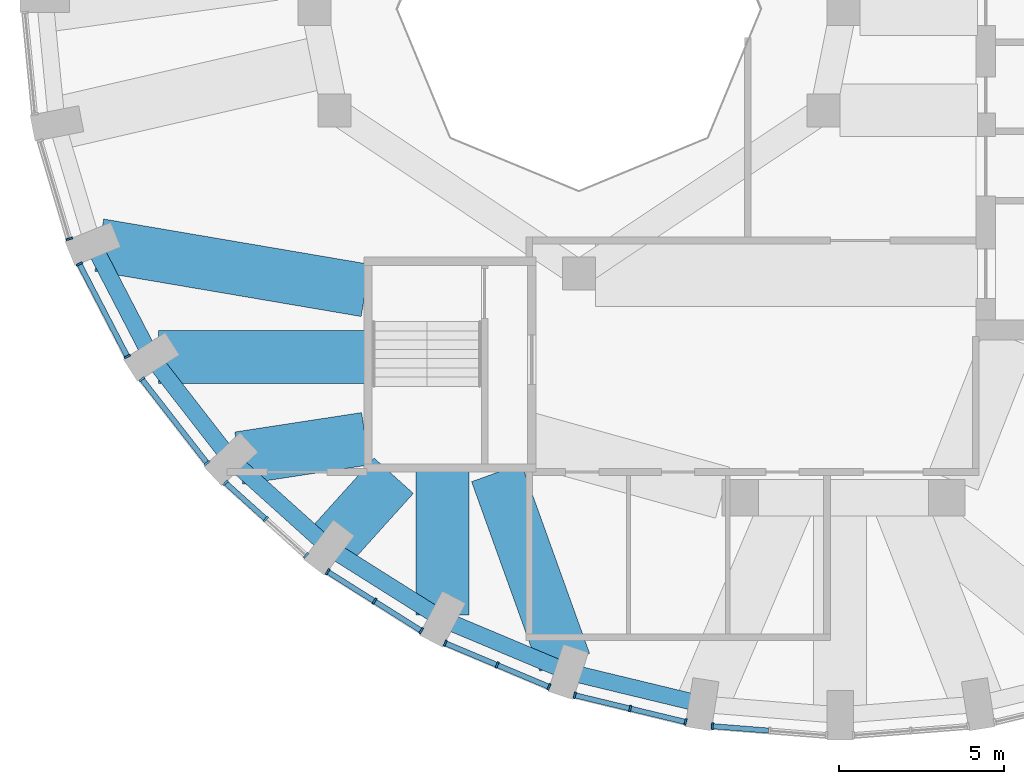
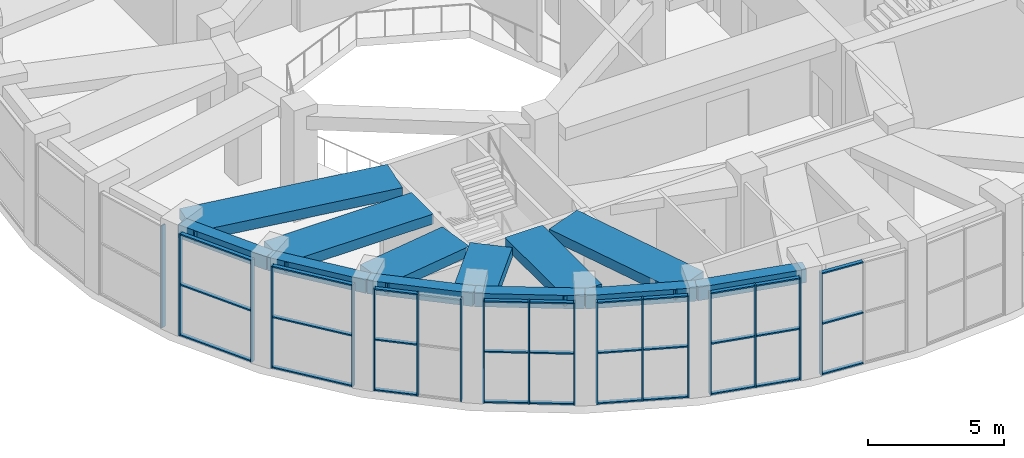
# One storey, part 2 of 16: 48 members, 12 beams, 8 elements without a shape of their own.
"""IFC4 building model written with IfcOpenShell, lengths in metres."""

from ifc_helpers import new_model, si_unit, direction, frame, origin, origin_2d, place, context, subcontext, project, spatial, rectangle, extrude, material, material_profile, profile_set, type_object, element, aggregate, save


model = new_model("IFC4")

# Units and contexts
model_context = context("Model", 3, precision=1e-05, world=origin(), true_north=direction((0.0, 1.0)))
body_context = subcontext(model_context, "Body", "Model", "MODEL_VIEW")
ifc_project = project(units=[si_unit("LENGTHUNIT", "METRE"), si_unit("AREAUNIT", "SQUARE_METRE"), si_unit("VOLUMEUNIT", "CUBIC_METRE"), si_unit("PLANEANGLEUNIT", "RADIAN"), si_unit("MASSUNIT", "GRAM", prefix="KILO")], contexts=[model_context])

# Site, building, storey
site_placement = place(None, origin())
site = spatial("IfcSite", under=ifc_project, at=site_placement, CompositionType="ELEMENT")
building_placement = place(site_placement, origin())
building = spatial("IfcBuilding", under=site, at=building_placement, Name="Taillehof Tower", CompositionType="ELEMENT")
storey_placement = place(building_placement, frame((0.0, 0.0, 264.199951171875)))
storey = spatial("IfcBuildingStorey", under=building, at=storey_placement, Name="L75", CompositionType="ELEMENT", Elevation=264.199951171875)

# Beams
ifc_material_1 = material(Name="Concrete C50/60", Category="concrete")
ifc_material_profile_1 = material_profile(ifc_material_1, rectangle(XDim=1.60009765625, YDim=0.449951171875, at=origin_2d()), Name="RC 1600x450")
ifc_profile_set_1 = profile_set([ifc_material_profile_1], Name="Concrete C50/60")
beam_type_1 = type_object("IfcBeamType", Name="Radial band beam C50/60 1600x450", PredefinedType="BEAM", material=ifc_profile_set_1)
beam_1_placement = place(storey_placement, frame((-22.502685546875, -7.13818359375, 4.364990234375), z_axis=(0.985830005482, -0.167747430059, 0.0), x_axis=(0.167747430059, 0.985830005482, 0.0)))
element("IfcBeam", 1, at=beam_1_placement, inside=storey, type_object=beam_type_1, Name="Radial band beam RB21", PredefinedType="BEAM", context=body_context, shape_type="SweptSolid", body=[
    extrude(rectangle(XDim=1.60009765625, YDim=0.449951171875, at=origin_2d()), origin(), (0.0, 0.0, 1.0), 8.167724609375),
])
beam_2_placement = place(storey_placement, frame((-20.7119140625, -10.52490234375, 4.364990234375), z_axis=(1.0, 0.0, 0.0), x_axis=(0.0, 1.0, 0.0)))
element("IfcBeam", 2, at=beam_2_placement, inside=storey, type_object=beam_type_1, Name="Radial band beam RB22", PredefinedType="BEAM", context=body_context, shape_type="SweptSolid", body=[
    extrude(rectangle(XDim=1.60009765625, YDim=0.449951171875, at=origin_2d()), origin(), (0.0, 0.0, 1.0), 6.261962890625),
])
beam_3_placement = place(storey_placement, frame((-18.283447265625, -13.57958984375, 4.364990234375), z_axis=(0.988468308682, 0.151427879634, 0.0), x_axis=(-0.151427879634, 0.988468308682, 0.0)))
element("IfcBeam", 3, at=beam_3_placement, inside=storey, type_object=beam_type_1, Name="Radial band beam RB23", PredefinedType="BEAM", context=body_context, shape_type="SweptSolid", body=[
    extrude(rectangle(XDim=1.60009765625, YDim=0.449951171875, at=origin_2d()), origin(), (0.0, 0.0, 1.0), 3.87744140625),
])
beam_4_placement = place(storey_placement, frame((-15.55908203125, -16.284912109375, 4.364990234375), z_axis=(0.669439419649, 0.742866652516, 0.0), x_axis=(-0.742866652516, 0.669439419649, 0.0)))
element("IfcBeam", 4, at=beam_4_placement, inside=storey, type_object=beam_type_1, Name="Radial band beam RB24", PredefinedType="BEAM", context=body_context, shape_type="SweptSolid", body=[
    extrude(rectangle(XDim=1.60009765625, YDim=0.449951171875, at=origin_2d()), origin(), (0.0, 0.0, 1.0), 2.926025390625),
])
beam_5_placement = place(storey_placement, frame((-12.125, -18.3154296875, 4.364990234375), z_axis=(0.0, 1.0, 0.0), x_axis=(-1.0, 0.0, 0.0)))
element("IfcBeam", 5, at=beam_5_placement, inside=storey, type_object=beam_type_1, Name="Radial band beam RB25", PredefinedType="BEAM", context=body_context, shape_type="SweptSolid", body=[
    extrude(rectangle(XDim=1.60009765625, YDim=0.449951171875, at=origin_2d()), origin(), (0.0, 0.0, 1.0), 4.365478515625),
])
beam_6_placement = place(storey_placement, frame((-8.42919921875, -19.755859375, 4.364990234375), z_axis=(-0.338515207556, 0.940960920683, 0.0), x_axis=(-0.940960920683, -0.338515207556, 0.0)))
element("IfcBeam", 6, at=beam_6_placement, inside=storey, type_object=beam_type_1, Name="Radial band beam RB26", PredefinedType="BEAM", context=body_context, shape_type="SweptSolid", body=[
    extrude(rectangle(XDim=1.60009765625, YDim=0.449951171875, at=origin_2d()), origin(), (0.0, 0.0, 1.0), 6.094970703125),
])

# Curtain wall, member
ifc_material_2 = material(Name="Aluminium curtain wall with Clear laminated safety glass", Category="aluminium")
curtain_wall_type = type_object("IfcCurtainWallType", Name="Sky restaurant curtain wall", PredefinedType="USERDEFINED", material=ifc_material_2)
curtain_wall_1_placement = place(storey_placement, origin())
curtain_wall_1 = element("IfcCurtainWall", 7, at=curtain_wall_1_placement, inside=storey, type_object=curtain_wall_type, Name="Sky restaurant L75 bay 20", ObjectType="WINDOW WALL", PredefinedType="USERDEFINED")
ifc_material_3 = material(Name="Aluminium mullion", Category="aluminium")
ifc_material_profile_2 = material_profile(ifc_material_3, rectangle(XDim=0.199951171875, YDim=0.06005859375, at=origin_2d()), Name="AL 60x200")
ifc_profile_set_2 = profile_set([ifc_material_profile_2], Name="Aluminium mullion")
member_type_1 = type_object("IfcMemberType", Name="Sky restaurant mullion 60x200", PredefinedType="MULLION", material=ifc_profile_set_2)
member_1_placement = place(storey_placement, frame((-23.41015625, -6.94921875, 0.0), z_axis=(0.0, 0.0, 1.0), x_axis=(0.958457446134, 0.285235558707, 0.0)))
member_1 = element("IfcMember", 8, at=member_1_placement, type_object=member_type_1, Name="CT5E20 mullion 2", PredefinedType="MULLION", context=body_context, shape_type="SweptSolid", body=[
    extrude(rectangle(XDim=0.199951171875, YDim=0.06005859375, at=origin_2d()), origin(), (0.0, 0.0, 1.0), 4.590087890625),
])
aggregate(curtain_wall_1, [member_1])

# Curtain wall, members
curtain_wall_2_placement = place(storey_placement, origin())
curtain_wall_2 = element("IfcCurtainWall", 9, at=curtain_wall_2_placement, inside=storey, type_object=curtain_wall_type, Name="Sky restaurant L75 bay 21", ObjectType="WINDOW WALL", PredefinedType="USERDEFINED")
member_2_placement = place(storey_placement, frame((-23.103271484375, -7.70947265625, 0.0), z_axis=(0.0, 0.0, 1.0), x_axis=(0.887975262702, 0.459891218474, 0.0)))
member_2 = element("IfcMember", 10, at=member_2_placement, type_object=member_type_1, Name="CT5E21 mullion 1", PredefinedType="MULLION", context=body_context, shape_type="SweptSolid", body=[
    extrude(rectangle(XDim=0.199951171875, YDim=0.06005859375, at=origin_2d()), origin(), (0.0, 0.0, 1.0), 4.590087890625),
])
member_3_placement = place(storey_placement, frame((-21.656005859375, -10.50390625, 0.0), z_axis=(0.0, 0.0, 1.0), x_axis=(0.887975262702, 0.459891218474, 0.0)))
member_3 = element("IfcMember", 11, at=member_3_placement, type_object=member_type_1, Name="CT5E21 mullion 2", PredefinedType="MULLION", context=body_context, shape_type="SweptSolid", body=[
    extrude(rectangle(XDim=0.199951171875, YDim=0.06005859375, at=origin_2d()), origin(), (0.0, 0.0, 1.0), 4.590087890625),
])

curtain_wall_3_placement = place(storey_placement, origin())
curtain_wall_3 = element("IfcCurtainWall", 12, at=curtain_wall_3_placement, inside=storey, type_object=curtain_wall_type, Name="Sky restaurant L75 bay 22", ObjectType="WINDOW WALL", PredefinedType="USERDEFINED")
member_4_placement = place(storey_placement, frame((-21.214111328125, -11.1943359375, 0.0), z_axis=(0.0, 0.0, 1.0), x_axis=(0.789381612432, 0.613902818005, 0.0)))
member_4 = element("IfcMember", 13, at=member_4_placement, type_object=member_type_1, Name="CT5E22 mullion 1", PredefinedType="MULLION", context=body_context, shape_type="SweptSolid", body=[
    extrude(rectangle(XDim=0.199951171875, YDim=0.06005859375, at=origin_2d()), origin(), (0.0, 0.0, 1.0), 4.590087890625),
])
member_5_placement = place(storey_placement, frame((-19.24462890625, -13.726806640625, 0.0), z_axis=(0.0, 0.0, 1.0), x_axis=(0.789381612432, 0.613902818005, 0.0)))
member_5 = element("IfcMember", 14, at=member_5_placement, type_object=member_type_1, Name="CT5E22 mullion 2", PredefinedType="MULLION", context=body_context, shape_type="SweptSolid", body=[
    extrude(rectangle(XDim=0.199951171875, YDim=0.06005859375, at=origin_2d()), origin(), (0.0, 0.0, 1.0), 4.590087890625),
])

curtain_wall_4_placement = place(storey_placement, origin())
curtain_wall_4 = element("IfcCurtainWall", 15, at=curtain_wall_4_placement, inside=storey, type_object=curtain_wall_type, Name="Sky restaurant L75 bay 23", ObjectType="WINDOW WALL", PredefinedType="USERDEFINED")
member_6_placement = place(storey_placement, frame((-18.68603515625, -14.3271484375, 0.0), z_axis=(0.0, 0.0, 1.0), x_axis=(0.669107157872, 0.74316593792, 0.0)))
member_6 = element("IfcMember", 16, at=member_6_placement, type_object=member_type_1, Name="CT5E23 mullion 1", PredefinedType="MULLION", context=body_context, shape_type="SweptSolid", body=[
    extrude(rectangle(XDim=0.199951171875, YDim=0.06005859375, at=origin_2d()), origin(), (0.0, 0.0, 1.0), 4.590087890625),
])
member_7_placement = place(storey_placement, frame((-17.468505859375, -15.423095703125, 0.0), z_axis=(0.0, 0.0, 1.0), x_axis=(0.669107157872, 0.74316593792, 0.0)))
member_7 = element("IfcMember", 17, at=member_7_placement, type_object=member_type_1, Name="CT5E23 mullion 2", PredefinedType="MULLION", context=body_context, shape_type="SweptSolid", body=[
    extrude(rectangle(XDim=0.199951171875, YDim=0.06005859375, at=origin_2d()), origin(), (0.0, 0.0, 1.0), 4.590087890625),
])
member_8_placement = place(storey_placement, frame((-16.251220703125, -16.519287109375, 0.0), z_axis=(0.0, 0.0, 1.0), x_axis=(0.669107157872, 0.74316593792, 0.0)))
member_8 = element("IfcMember", 18, at=member_8_placement, type_object=member_type_1, Name="CT5E23 mullion 3", PredefinedType="MULLION", context=body_context, shape_type="SweptSolid", body=[
    extrude(rectangle(XDim=0.199951171875, YDim=0.06005859375, at=origin_2d()), origin(), (0.0, 0.0, 1.0), 4.590087890625),
])

curtain_wall_5_placement = place(storey_placement, origin())
curtain_wall_5 = element("IfcCurtainWall", 19, at=curtain_wall_5_placement, inside=storey, type_object=curtain_wall_type, Name="Sky restaurant L75 bay 24", ObjectType="WINDOW WALL", PredefinedType="USERDEFINED")
member_9_placement = place(storey_placement, frame((-15.59716796875, -17.01416015625, 0.0), z_axis=(0.0, 0.0, 1.0), x_axis=(0.533294430468, 0.845929695916, 0.0)))
member_9 = element("IfcMember", 20, at=member_9_placement, type_object=member_type_1, Name="CT5E24 mullion 1", PredefinedType="MULLION", context=body_context, shape_type="SweptSolid", body=[
    extrude(rectangle(XDim=0.199951171875, YDim=0.06005859375, at=origin_2d()), origin(), (0.0, 0.0, 1.0), 4.590087890625),
])
member_10_placement = place(storey_placement, frame((-14.18310546875, -17.905517578125, 0.0), z_axis=(0.0, 0.0, 1.0), x_axis=(0.533294430468, 0.845929695916, 0.0)))
member_10 = element("IfcMember", 21, at=member_10_placement, type_object=member_type_1, Name="CT5E24 mullion 2", PredefinedType="MULLION", context=body_context, shape_type="SweptSolid", body=[
    extrude(rectangle(XDim=0.199951171875, YDim=0.06005859375, at=origin_2d()), origin(), (0.0, 0.0, 1.0), 4.590087890625),
])
member_11_placement = place(storey_placement, frame((-12.768798828125, -18.797119140625, 0.0), z_axis=(0.0, 0.0, 1.0), x_axis=(0.533294430468, 0.845929695916, 0.0)))
member_11 = element("IfcMember", 22, at=member_11_placement, type_object=member_type_1, Name="CT5E24 mullion 3", PredefinedType="MULLION", context=body_context, shape_type="SweptSolid", body=[
    extrude(rectangle(XDim=0.199951171875, YDim=0.06005859375, at=origin_2d()), origin(), (0.0, 0.0, 1.0), 4.590087890625),
])

curtain_wall_6_placement = place(storey_placement, origin())
curtain_wall_6 = element("IfcCurtainWall", 23, at=curtain_wall_6_placement, inside=storey, type_object=curtain_wall_type, Name="Sky restaurant L75 bay 25", ObjectType="WINDOW WALL", PredefinedType="USERDEFINED")
member_12_placement = place(storey_placement, frame((-12.04150390625, -19.17578125, 0.0), z_axis=(0.0, 0.0, 1.0), x_axis=(0.387100713636, 0.922037438233, 0.0)))
member_12 = element("IfcMember", 24, at=member_12_placement, type_object=member_type_1, Name="CT5E25 mullion 1", PredefinedType="MULLION", context=body_context, shape_type="SweptSolid", body=[
    extrude(rectangle(XDim=0.199951171875, YDim=0.06005859375, at=origin_2d()), origin(), (0.0, 0.0, 1.0), 4.590087890625),
])
member_13_placement = place(storey_placement, frame((-10.472900390625, -19.834228515625, 0.0), z_axis=(0.0, 0.0, 1.0), x_axis=(0.387100713636, 0.922037438233, 0.0)))
member_13 = element("IfcMember", 25, at=member_13_placement, type_object=member_type_1, Name="CT5E25 mullion 2", PredefinedType="MULLION", context=body_context, shape_type="SweptSolid", body=[
    extrude(rectangle(XDim=0.199951171875, YDim=0.06005859375, at=origin_2d()), origin(), (0.0, 0.0, 1.0), 4.590087890625),
])
member_14_placement = place(storey_placement, frame((-8.904541015625, -20.49267578125, 0.0), z_axis=(0.0, 0.0, 1.0), x_axis=(0.387100713636, 0.922037438233, 0.0)))
member_14 = element("IfcMember", 26, at=member_14_placement, type_object=member_type_1, Name="CT5E25 mullion 3", PredefinedType="MULLION", context=body_context, shape_type="SweptSolid", body=[
    extrude(rectangle(XDim=0.199951171875, YDim=0.06005859375, at=origin_2d()), origin(), (0.0, 0.0, 1.0), 4.590087890625),
])

curtain_wall_7_placement = place(storey_placement, origin())
curtain_wall_7 = element("IfcCurtainWall", 27, at=curtain_wall_7_placement, inside=storey, type_object=curtain_wall_type, Name="Sky restaurant L75 bay 26", ObjectType="WINDOW WALL", PredefinedType="USERDEFINED")
member_15_placement = place(storey_placement, frame((-8.12548828125, -20.74853515625, 0.0), z_axis=(0.0, 0.0, 1.0), x_axis=(0.234514520129, 0.972112616855, 0.0)))
member_15 = element("IfcMember", 28, at=member_15_placement, type_object=member_type_1, Name="CT5E26 mullion 1", PredefinedType="MULLION", context=body_context, shape_type="SweptSolid", body=[
    extrude(rectangle(XDim=0.199951171875, YDim=0.06005859375, at=origin_2d()), origin(), (0.0, 0.0, 1.0), 4.590087890625),
])
member_16_placement = place(storey_placement, frame((-6.451171875, -21.15234375, 0.0), z_axis=(0.0, 0.0, 1.0), x_axis=(0.234514520129, 0.972112616855, 0.0)))
member_16 = element("IfcMember", 29, at=member_16_placement, type_object=member_type_1, Name="CT5E26 mullion 2", PredefinedType="MULLION", context=body_context, shape_type="SweptSolid", body=[
    extrude(rectangle(XDim=0.199951171875, YDim=0.06005859375, at=origin_2d()), origin(), (0.0, 0.0, 1.0), 4.590087890625),
])
member_17_placement = place(storey_placement, frame((-4.776611328125, -21.556396484375, 0.0), z_axis=(0.0, 0.0, 1.0), x_axis=(0.234514520129, 0.972112616855, 0.0)))
member_17 = element("IfcMember", 30, at=member_17_placement, type_object=member_type_1, Name="CT5E26 mullion 3", PredefinedType="MULLION", context=body_context, shape_type="SweptSolid", body=[
    extrude(rectangle(XDim=0.199951171875, YDim=0.06005859375, at=origin_2d()), origin(), (0.0, 0.0, 1.0), 4.590087890625),
])

# Curtain wall, member
curtain_wall_8_placement = place(storey_placement, origin())
curtain_wall_8 = element("IfcCurtainWall", 31, at=curtain_wall_8_placement, inside=storey, type_object=curtain_wall_type, Name="Sky restaurant L75 bay 27", ObjectType="WINDOW WALL", PredefinedType="USERDEFINED")
member_18_placement = place(storey_placement, frame((-3.966796875, -21.68505859375, 0.0), z_axis=(0.0, 0.0, 1.0), x_axis=(0.078525059075, 0.996912140109, 0.0)))
member_18 = element("IfcMember", 32, at=member_18_placement, type_object=member_type_1, Name="CT5E27 mullion 1", PredefinedType="MULLION", context=body_context, shape_type="SweptSolid", body=[
    extrude(rectangle(XDim=0.199951171875, YDim=0.06005859375, at=origin_2d()), origin(), (0.0, 0.0, 1.0), 4.590087890625),
])

# Member
ifc_material_4 = material(Name="Aluminium transom", Category="aluminium")
ifc_material_profile_3 = material_profile(ifc_material_4, rectangle(XDim=0.159912109375, YDim=0.06005859375, at=origin_2d()), Name="AL 160x60")
ifc_profile_set_3 = profile_set([ifc_material_profile_3], Name="Aluminium transom")
member_type_2 = type_object("IfcMemberType", Name="Sky restaurant transom 160x60", PredefinedType="USERDEFINED", material=ifc_profile_set_3)
member_19_placement = place(storey_placement, frame((-23.089599609375, -7.736083984375, 0.030029296875), z_axis=(0.459885428404, -0.887978261413, 0.0), x_axis=(0.887978261413, 0.459885428404, 0.0)))
member_19 = element("IfcMember", 33, at=member_19_placement, type_object=member_type_2, Name="CT5E21 transom 1.1", ObjectType="TRANSOM", PredefinedType="USERDEFINED", context=body_context, shape_type="SweptSolid", body=[
    extrude(rectangle(XDim=0.159912109375, YDim=0.06005859375, at=origin_2d()), origin(), (0.0, 0.0, 1.0), 3.0869140625),
])

member_20_placement = place(storey_placement, frame((-23.089599609375, -7.736083984375, 2.295166015625), z_axis=(0.459885428404, -0.887978261413, 0.0), x_axis=(0.887978261413, 0.459885428404, 0.0)))
member_20 = element("IfcMember", 34, at=member_20_placement, type_object=member_type_2, Name="CT5E21 transom 1.2", ObjectType="TRANSOM", PredefinedType="USERDEFINED", context=body_context, shape_type="SweptSolid", body=[
    extrude(rectangle(XDim=0.159912109375, YDim=0.06005859375, at=origin_2d()), origin(), (0.0, 0.0, 1.0), 3.0869140625),
])

member_21_placement = place(storey_placement, frame((-23.089599609375, -7.736083984375, 4.56005859375), z_axis=(0.459885428404, -0.887978261413, 0.0), x_axis=(0.887978261413, 0.459885428404, 0.0)))
member_21 = element("IfcMember", 35, at=member_21_placement, type_object=member_type_2, Name="CT5E21 transom 1.3", ObjectType="TRANSOM", PredefinedType="USERDEFINED", context=body_context, shape_type="SweptSolid", body=[
    extrude(rectangle(XDim=0.159912109375, YDim=0.06005859375, at=origin_2d()), origin(), (0.0, 0.0, 1.0), 3.0869140625),
])

aggregate(curtain_wall_2, [member_2, member_3, member_19, member_20, member_21])

member_22_placement = place(storey_placement, frame((-21.195556640625, -11.218017578125, 0.030029296875), z_axis=(0.613892292238, -0.789389798218, 0.0), x_axis=(0.789389798218, 0.613892292238, 0.0)))
member_22 = element("IfcMember", 36, at=member_22_placement, type_object=member_type_2, Name="CT5E22 transom 1.1", ObjectType="TRANSOM", PredefinedType="USERDEFINED", context=body_context, shape_type="SweptSolid", body=[
    extrude(rectangle(XDim=0.159912109375, YDim=0.06005859375, at=origin_2d()), origin(), (0.0, 0.0, 1.0), 3.148193359375),
])

member_23_placement = place(storey_placement, frame((-21.195556640625, -11.218017578125, 2.295166015625), z_axis=(0.613892292238, -0.789389798218, 0.0), x_axis=(0.789389798218, 0.613892292238, 0.0)))
member_23 = element("IfcMember", 37, at=member_23_placement, type_object=member_type_2, Name="CT5E22 transom 1.2", ObjectType="TRANSOM", PredefinedType="USERDEFINED", context=body_context, shape_type="SweptSolid", body=[
    extrude(rectangle(XDim=0.159912109375, YDim=0.06005859375, at=origin_2d()), origin(), (0.0, 0.0, 1.0), 3.148193359375),
])

member_24_placement = place(storey_placement, frame((-21.195556640625, -11.218017578125, 4.56005859375), z_axis=(0.613892292238, -0.789389798218, 0.0), x_axis=(0.789389798218, 0.613892292238, 0.0)))
member_24 = element("IfcMember", 38, at=member_24_placement, type_object=member_type_2, Name="CT5E22 transom 1.3", ObjectType="TRANSOM", PredefinedType="USERDEFINED", context=body_context, shape_type="SweptSolid", body=[
    extrude(rectangle(XDim=0.159912109375, YDim=0.06005859375, at=origin_2d()), origin(), (0.0, 0.0, 1.0), 3.148193359375),
])

aggregate(curtain_wall_3, [member_4, member_5, member_22, member_23, member_24])

member_25_placement = place(storey_placement, frame((-18.663818359375, -14.34716796875, 0.030029296875), z_axis=(0.743186443795, -0.669084381643, 0.0), x_axis=(0.669084381643, 0.743186443795, 0.0)))
member_25 = element("IfcMember", 39, at=member_25_placement, type_object=member_type_2, Name="CT5E23 transom 1.1", ObjectType="TRANSOM", PredefinedType="USERDEFINED", context=body_context, shape_type="SweptSolid", body=[
    extrude(rectangle(XDim=0.159912109375, YDim=0.06005859375, at=origin_2d()), origin(), (0.0, 0.0, 1.0), 1.578125),
])

member_26_placement = place(storey_placement, frame((-18.663818359375, -14.34716796875, 2.295166015625), z_axis=(0.743186443795, -0.669084381643, 0.0), x_axis=(0.669084381643, 0.743186443795, 0.0)))
member_26 = element("IfcMember", 40, at=member_26_placement, type_object=member_type_2, Name="CT5E23 transom 1.2", ObjectType="TRANSOM", PredefinedType="USERDEFINED", context=body_context, shape_type="SweptSolid", body=[
    extrude(rectangle(XDim=0.159912109375, YDim=0.06005859375, at=origin_2d()), origin(), (0.0, 0.0, 1.0), 1.578125),
])

member_27_placement = place(storey_placement, frame((-18.663818359375, -14.34716796875, 4.56005859375), z_axis=(0.743186443795, -0.669084381643, 0.0), x_axis=(0.669084381643, 0.743186443795, 0.0)))
member_27 = element("IfcMember", 41, at=member_27_placement, type_object=member_type_2, Name="CT5E23 transom 1.3", ObjectType="TRANSOM", PredefinedType="USERDEFINED", context=body_context, shape_type="SweptSolid", body=[
    extrude(rectangle(XDim=0.159912109375, YDim=0.06005859375, at=origin_2d()), origin(), (0.0, 0.0, 1.0), 1.578125),
])

aggregate(curtain_wall_4, [member_6, member_7, member_8, member_25, member_26, member_27])

member_28_placement = place(storey_placement, frame((-15.572021484375, -17.030029296875, 0.030029296875), z_axis=(0.845924117153, -0.533303279587, 0.0), x_axis=(0.533303279587, 0.845924117153, 0.0)))
member_28 = element("IfcMember", 42, at=member_28_placement, type_object=member_type_2, Name="CT5E24 transom 1.1", ObjectType="TRANSOM", PredefinedType="USERDEFINED", context=body_context, shape_type="SweptSolid", body=[
    extrude(rectangle(XDim=0.159912109375, YDim=0.06005859375, at=origin_2d()), origin(), (0.0, 0.0, 1.0), 1.61181640625),
])

member_29_placement = place(storey_placement, frame((-15.572021484375, -17.030029296875, 2.295166015625), z_axis=(0.845924117153, -0.533303279587, 0.0), x_axis=(0.533303279587, 0.845924117153, 0.0)))
member_29 = element("IfcMember", 43, at=member_29_placement, type_object=member_type_2, Name="CT5E24 transom 1.2", ObjectType="TRANSOM", PredefinedType="USERDEFINED", context=body_context, shape_type="SweptSolid", body=[
    extrude(rectangle(XDim=0.159912109375, YDim=0.06005859375, at=origin_2d()), origin(), (0.0, 0.0, 1.0), 1.61181640625),
])

member_30_placement = place(storey_placement, frame((-15.572021484375, -17.030029296875, 4.56005859375), z_axis=(0.845924117153, -0.533303279587, 0.0), x_axis=(0.533303279587, 0.845924117153, 0.0)))
member_30 = element("IfcMember", 44, at=member_30_placement, type_object=member_type_2, Name="CT5E24 transom 1.3", ObjectType="TRANSOM", PredefinedType="USERDEFINED", context=body_context, shape_type="SweptSolid", body=[
    extrude(rectangle(XDim=0.159912109375, YDim=0.06005859375, at=origin_2d()), origin(), (0.0, 0.0, 1.0), 1.61181640625),
])

member_31_placement = place(storey_placement, frame((-14.15771484375, -17.921630859375, 0.030029296875), z_axis=(0.845924117153, -0.533303279587, 0.0), x_axis=(0.533303279587, 0.845924117153, 0.0)))
member_31 = element("IfcMember", 45, at=member_31_placement, type_object=member_type_2, Name="CT5E24 transom 2.1", ObjectType="TRANSOM", PredefinedType="USERDEFINED", context=body_context, shape_type="SweptSolid", body=[
    extrude(rectangle(XDim=0.159912109375, YDim=0.06005859375, at=origin_2d()), origin(), (0.0, 0.0, 1.0), 1.61181640625),
])

member_32_placement = place(storey_placement, frame((-14.15771484375, -17.921630859375, 2.295166015625), z_axis=(0.845924117153, -0.533303279587, 0.0), x_axis=(0.533303279587, 0.845924117153, 0.0)))
member_32 = element("IfcMember", 46, at=member_32_placement, type_object=member_type_2, Name="CT5E24 transom 2.2", ObjectType="TRANSOM", PredefinedType="USERDEFINED", context=body_context, shape_type="SweptSolid", body=[
    extrude(rectangle(XDim=0.159912109375, YDim=0.06005859375, at=origin_2d()), origin(), (0.0, 0.0, 1.0), 1.61181640625),
])

member_33_placement = place(storey_placement, frame((-14.15771484375, -17.921630859375, 4.56005859375), z_axis=(0.845924117153, -0.533303279587, 0.0), x_axis=(0.533303279587, 0.845924117153, 0.0)))
member_33 = element("IfcMember", 47, at=member_33_placement, type_object=member_type_2, Name="CT5E24 transom 2.3", ObjectType="TRANSOM", PredefinedType="USERDEFINED", context=body_context, shape_type="SweptSolid", body=[
    extrude(rectangle(XDim=0.159912109375, YDim=0.06005859375, at=origin_2d()), origin(), (0.0, 0.0, 1.0), 1.61181640625),
])

aggregate(curtain_wall_5, [member_9, member_10, member_11, member_28, member_29, member_30, member_31, member_32, member_33])

member_34_placement = place(storey_placement, frame((-12.013671875, -19.1875, 0.030029296875), z_axis=(0.922021409269, -0.387138890902, 0.0), x_axis=(0.387138890902, 0.922021409269, 0.0)))
member_34 = element("IfcMember", 48, at=member_34_placement, type_object=member_type_2, Name="CT5E25 transom 1.1", ObjectType="TRANSOM", PredefinedType="USERDEFINED", context=body_context, shape_type="SweptSolid", body=[
    extrude(rectangle(XDim=0.159912109375, YDim=0.06005859375, at=origin_2d()), origin(), (0.0, 0.0, 1.0), 1.640869140625),
])

member_35_placement = place(storey_placement, frame((-12.013671875, -19.1875, 2.295166015625), z_axis=(0.922021409269, -0.387138890902, 0.0), x_axis=(0.387138890902, 0.922021409269, 0.0)))
member_35 = element("IfcMember", 49, at=member_35_placement, type_object=member_type_2, Name="CT5E25 transom 1.2", ObjectType="TRANSOM", PredefinedType="USERDEFINED", context=body_context, shape_type="SweptSolid", body=[
    extrude(rectangle(XDim=0.159912109375, YDim=0.06005859375, at=origin_2d()), origin(), (0.0, 0.0, 1.0), 1.640869140625),
])

member_36_placement = place(storey_placement, frame((-12.013671875, -19.1875, 4.56005859375), z_axis=(0.922021409269, -0.387138890902, 0.0), x_axis=(0.387138890902, 0.922021409269, 0.0)))
member_36 = element("IfcMember", 50, at=member_36_placement, type_object=member_type_2, Name="CT5E25 transom 1.3", ObjectType="TRANSOM", PredefinedType="USERDEFINED", context=body_context, shape_type="SweptSolid", body=[
    extrude(rectangle(XDim=0.159912109375, YDim=0.06005859375, at=origin_2d()), origin(), (0.0, 0.0, 1.0), 1.640869140625),
])

member_37_placement = place(storey_placement, frame((-10.4453125, -19.845947265625, 0.030029296875), z_axis=(0.922043704078, -0.387085788643, 0.0), x_axis=(0.387085788643, 0.922043704078, 0.0)))
member_37 = element("IfcMember", 51, at=member_37_placement, type_object=member_type_2, Name="CT5E25 transom 2.1", ObjectType="TRANSOM", PredefinedType="USERDEFINED", context=body_context, shape_type="SweptSolid", body=[
    extrude(rectangle(XDim=0.159912109375, YDim=0.06005859375, at=origin_2d()), origin(), (0.0, 0.0, 1.0), 1.64111328125),
])

member_38_placement = place(storey_placement, frame((-10.4453125, -19.845947265625, 2.295166015625), z_axis=(0.922043704078, -0.387085788643, 0.0), x_axis=(0.387085788643, 0.922043704078, 0.0)))
member_38 = element("IfcMember", 52, at=member_38_placement, type_object=member_type_2, Name="CT5E25 transom 2.2", ObjectType="TRANSOM", PredefinedType="USERDEFINED", context=body_context, shape_type="SweptSolid", body=[
    extrude(rectangle(XDim=0.159912109375, YDim=0.06005859375, at=origin_2d()), origin(), (0.0, 0.0, 1.0), 1.64111328125),
])

member_39_placement = place(storey_placement, frame((-10.4453125, -19.845947265625, 4.56005859375), z_axis=(0.922043704078, -0.387085788643, 0.0), x_axis=(0.387085788643, 0.922043704078, 0.0)))
member_39 = element("IfcMember", 53, at=member_39_placement, type_object=member_type_2, Name="CT5E25 transom 2.3", ObjectType="TRANSOM", PredefinedType="USERDEFINED", context=body_context, shape_type="SweptSolid", body=[
    extrude(rectangle(XDim=0.159912109375, YDim=0.06005859375, at=origin_2d()), origin(), (0.0, 0.0, 1.0), 1.64111328125),
])

aggregate(curtain_wall_6, [member_12, member_13, member_14, member_34, member_35, member_36, member_37, member_38, member_39])

member_40_placement = place(storey_placement, frame((-8.096435546875, -20.75537109375, 0.030029296875), z_axis=(0.97211338391, -0.234511340499, 0.0), x_axis=(0.234511340499, 0.97211338391, 0.0)))
member_40 = element("IfcMember", 54, at=member_40_placement, type_object=member_type_2, Name="CT5E26 transom 1.1", ObjectType="TRANSOM", PredefinedType="USERDEFINED", context=body_context, shape_type="SweptSolid", body=[
    extrude(rectangle(XDim=0.159912109375, YDim=0.06005859375, at=origin_2d()), origin(), (0.0, 0.0, 1.0), 1.66259765625),
])

member_41_placement = place(storey_placement, frame((-8.096435546875, -20.75537109375, 2.295166015625), z_axis=(0.97211338391, -0.234511340499, 0.0), x_axis=(0.234511340499, 0.97211338391, 0.0)))
member_41 = element("IfcMember", 55, at=member_41_placement, type_object=member_type_2, Name="CT5E26 transom 1.2", ObjectType="TRANSOM", PredefinedType="USERDEFINED", context=body_context, shape_type="SweptSolid", body=[
    extrude(rectangle(XDim=0.159912109375, YDim=0.06005859375, at=origin_2d()), origin(), (0.0, 0.0, 1.0), 1.66259765625),
])

member_42_placement = place(storey_placement, frame((-8.096435546875, -20.75537109375, 4.56005859375), z_axis=(0.97211338391, -0.234511340499, 0.0), x_axis=(0.234511340499, 0.97211338391, 0.0)))
member_42 = element("IfcMember", 56, at=member_42_placement, type_object=member_type_2, Name="CT5E26 transom 1.3", ObjectType="TRANSOM", PredefinedType="USERDEFINED", context=body_context, shape_type="SweptSolid", body=[
    extrude(rectangle(XDim=0.159912109375, YDim=0.06005859375, at=origin_2d()), origin(), (0.0, 0.0, 1.0), 1.66259765625),
])

member_43_placement = place(storey_placement, frame((-6.421875, -21.159423828125, 0.030029296875), z_axis=(0.97211338391, -0.234511340499, 0.0), x_axis=(0.234511340499, 0.97211338391, 0.0)))
member_43 = element("IfcMember", 57, at=member_43_placement, type_object=member_type_2, Name="CT5E26 transom 2.1", ObjectType="TRANSOM", PredefinedType="USERDEFINED", context=body_context, shape_type="SweptSolid", body=[
    extrude(rectangle(XDim=0.159912109375, YDim=0.06005859375, at=origin_2d()), origin(), (0.0, 0.0, 1.0), 1.66259765625),
])

member_44_placement = place(storey_placement, frame((-6.421875, -21.159423828125, 2.295166015625), z_axis=(0.97211338391, -0.234511340499, 0.0), x_axis=(0.234511340499, 0.97211338391, 0.0)))
member_44 = element("IfcMember", 58, at=member_44_placement, type_object=member_type_2, Name="CT5E26 transom 2.2", ObjectType="TRANSOM", PredefinedType="USERDEFINED", context=body_context, shape_type="SweptSolid", body=[
    extrude(rectangle(XDim=0.159912109375, YDim=0.06005859375, at=origin_2d()), origin(), (0.0, 0.0, 1.0), 1.66259765625),
])

member_45_placement = place(storey_placement, frame((-6.421875, -21.159423828125, 4.56005859375), z_axis=(0.97211338391, -0.234511340499, 0.0), x_axis=(0.234511340499, 0.97211338391, 0.0)))
member_45 = element("IfcMember", 59, at=member_45_placement, type_object=member_type_2, Name="CT5E26 transom 2.3", ObjectType="TRANSOM", PredefinedType="USERDEFINED", context=body_context, shape_type="SweptSolid", body=[
    extrude(rectangle(XDim=0.159912109375, YDim=0.06005859375, at=origin_2d()), origin(), (0.0, 0.0, 1.0), 1.66259765625),
])

aggregate(curtain_wall_7, [member_15, member_16, member_17, member_40, member_41, member_42, member_43, member_44, member_45])

member_46_placement = place(storey_placement, frame((-3.93701171875, -21.6875, 0.030029296875), z_axis=(0.996916491353, -0.078469798442, 0.0), x_axis=(0.078469798442, 0.996916491353, 0.0)))
member_46 = element("IfcMember", 60, at=member_46_placement, type_object=member_type_2, Name="CT5E27 transom 1.1", ObjectType="TRANSOM", PredefinedType="USERDEFINED", context=body_context, shape_type="SweptSolid", body=[
    extrude(rectangle(XDim=0.159912109375, YDim=0.06005859375, at=origin_2d()), origin(), (0.0, 0.0, 1.0), 1.673828125),
])

member_47_placement = place(storey_placement, frame((-3.93701171875, -21.6875, 2.295166015625), z_axis=(0.996916491353, -0.078469798442, 0.0), x_axis=(0.078469798442, 0.996916491353, 0.0)))
member_47 = element("IfcMember", 61, at=member_47_placement, type_object=member_type_2, Name="CT5E27 transom 1.2", ObjectType="TRANSOM", PredefinedType="USERDEFINED", context=body_context, shape_type="SweptSolid", body=[
    extrude(rectangle(XDim=0.159912109375, YDim=0.06005859375, at=origin_2d()), origin(), (0.0, 0.0, 1.0), 1.673828125),
])

member_48_placement = place(storey_placement, frame((-3.93701171875, -21.6875, 4.56005859375), z_axis=(0.996916491353, -0.078469798442, 0.0), x_axis=(0.078469798442, 0.996916491353, 0.0)))
member_48 = element("IfcMember", 62, at=member_48_placement, type_object=member_type_2, Name="CT5E27 transom 1.3", ObjectType="TRANSOM", PredefinedType="USERDEFINED", context=body_context, shape_type="SweptSolid", body=[
    extrude(rectangle(XDim=0.159912109375, YDim=0.06005859375, at=origin_2d()), origin(), (0.0, 0.0, 1.0), 1.673828125),
])

aggregate(curtain_wall_8, [member_18, member_46, member_47, member_48])

# Beams
ifc_material_5 = material(Name="Concrete C50/60", Category="concrete")
ifc_material_profile_4 = material_profile(ifc_material_5, rectangle(XDim=0.5, YDim=0.60009765625, at=origin_2d()), Name="RC 500x600")
ifc_profile_set_4 = profile_set([ifc_material_profile_4], Name="Concrete C50/60")
beam_type_2 = type_object("IfcBeamType", Name="Spandrel beam C50/60 500x600", PredefinedType="SPANDREL", material=ifc_profile_set_4)
beam_7_placement = place(storey_placement, frame((-22.69970703125, -7.104736328125, 4.2900390625), z_axis=(0.459971160554, -0.88793385534, 0.0), x_axis=(0.88793385534, 0.459971160554, 0.0)))
element("IfcBeam", 63, at=beam_7_placement, inside=storey, type_object=beam_type_2, Name="Spandrel beam SB21", PredefinedType="SPANDREL", context=body_context, shape_type="SweptSolid", body=[
    extrude(rectangle(XDim=0.5, YDim=0.60009765625, at=origin_2d()), origin(), (0.0, 0.0, 1.0), 3.851806640625),
])
beam_8_placement = place(storey_placement, frame((-20.927978515625, -10.52490234375, 4.2900390625), z_axis=(0.613940613515, -0.789352217376, 0.0), x_axis=(0.789352217376, 0.613940613515, 0.0)))
element("IfcBeam", 64, at=beam_8_placement, inside=storey, type_object=beam_type_2, Name="Spandrel beam SB22", PredefinedType="SPANDREL", context=body_context, shape_type="SweptSolid", body=[
    extrude(rectangle(XDim=0.5, YDim=0.60009765625, at=origin_2d()), origin(), (0.0, 0.0, 1.0), 3.91650390625),
])
beam_9_placement = place(storey_placement, frame((-18.5234375, -13.616455078125, 4.2900390625), z_axis=(0.743227182134, -0.669039128704, 0.0), x_axis=(0.669039128704, 0.743227182134, 0.0)))
element("IfcBeam", 65, at=beam_9_placement, inside=storey, type_object=beam_type_2, Name="Spandrel beam SB23", PredefinedType="SPANDREL", context=body_context, shape_type="SweptSolid", body=[
    extrude(rectangle(XDim=0.5, YDim=0.60009765625, at=origin_2d()), origin(), (0.0, 0.0, 1.0), 3.988525390625),
])
beam_10_placement = place(storey_placement, frame((-15.55908203125, -16.284912109375, 4.2900390625), z_axis=(0.845971606716, -0.533227944344, 0.0), x_axis=(0.533227944344, 0.845971606716, 0.0)))
element("IfcBeam", 66, at=beam_10_placement, inside=storey, type_object=beam_type_2, Name="Spandrel beam SB24", PredefinedType="SPANDREL", context=body_context, shape_type="SweptSolid", body=[
    extrude(rectangle(XDim=0.5, YDim=0.60009765625, at=origin_2d()), origin(), (0.0, 0.0, 1.0), 4.059326171875),
])
beam_11_placement = place(storey_placement, frame((-12.125, -18.449462890625, 4.2900390625), z_axis=(0.922046399446, -0.387079368178, 0.0), x_axis=(0.387079368178, 0.922046399446, 0.0)))
element("IfcBeam", 67, at=beam_11_placement, inside=storey, type_object=beam_type_2, Name="Spandrel beam SB25", PredefinedType="SPANDREL", context=body_context, shape_type="SweptSolid", body=[
    extrude(rectangle(XDim=0.5, YDim=0.60009765625, at=origin_2d()), origin(), (0.0, 0.0, 1.0), 4.12060546875),
])
beam_12_placement = place(storey_placement, frame((-8.32568359375, -20.04443359375, 4.2900390625), z_axis=(0.972132431202, -0.234432370218, 0.0), x_axis=(0.234432370218, 0.972132431202, 0.0)))
element("IfcBeam", 68, at=beam_12_placement, inside=storey, type_object=beam_type_2, Name="Spandrel beam SB26", PredefinedType="SPANDREL", context=body_context, shape_type="SweptSolid", body=[
    extrude(rectangle(XDim=0.5, YDim=0.60009765625, at=origin_2d()), origin(), (0.0, 0.0, 1.0), 4.16552734375),
])

save(model, "model.ifc")
